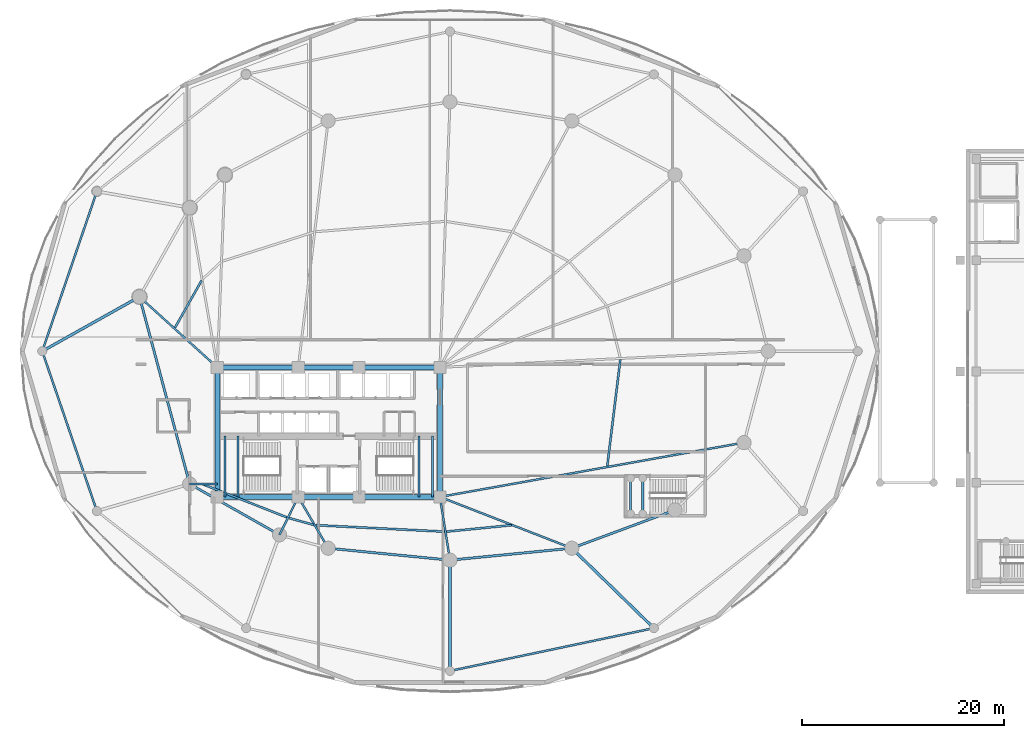
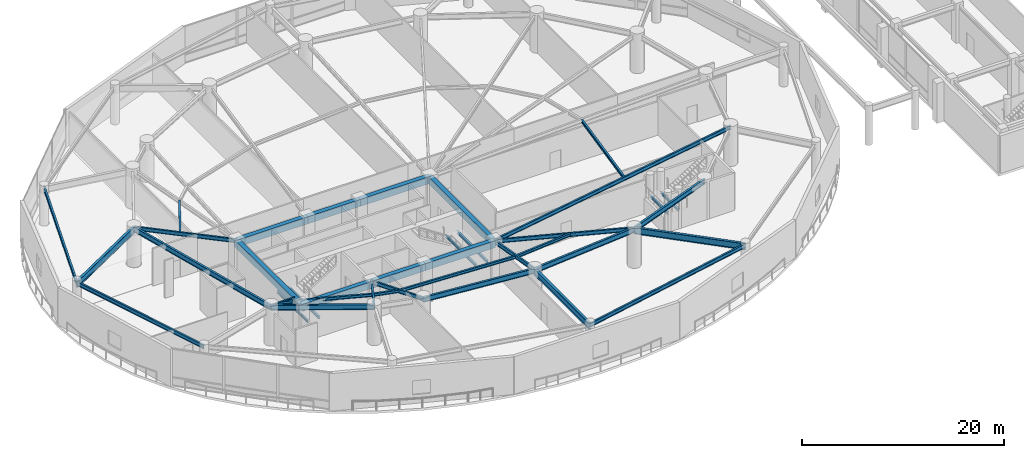
# One storey, part 5 of 40: 38 beams.
"""IFC4 building model written with IfcOpenShell, lengths in metres."""

from ifc_helpers import new_model, si_unit, direction, frame, origin, origin_2d, place, context, subcontext, project, spatial, rectangle, i_section, extrude, material, material_profile, profile_set, type_object, element, save


model = new_model("IFC4")

# Units and contexts
model_context = context("Model", 3, precision=1e-05, world=origin(), true_north=direction((0.0, 1.0)))
body_context = subcontext(model_context, "Body", "Model", "MODEL_VIEW")
ifc_project = project(units=[si_unit("LENGTHUNIT", "METRE"), si_unit("AREAUNIT", "SQUARE_METRE"), si_unit("VOLUMEUNIT", "CUBIC_METRE"), si_unit("PLANEANGLEUNIT", "RADIAN"), si_unit("MASSUNIT", "GRAM", prefix="KILO")], contexts=[model_context])

# Site, building, storey
site_placement = place(None, origin())
site = spatial("IfcSite", under=ifc_project, at=site_placement, CompositionType="ELEMENT")
building_placement = place(site_placement, origin())
building = spatial("IfcBuilding", under=site, at=building_placement, Name="Kazevale Care Tower and Concert Hall", CompositionType="ELEMENT")
storey_placement = place(building_placement, frame((0.0, 0.0, 4.800048828125)))
storey = spatial("IfcBuildingStorey", under=building, at=storey_placement, Name="L01", CompositionType="ELEMENT", Elevation=4.800048828125)

# Beams
ifc_material_1 = material(Name="Concrete C60", Category="concrete")
ifc_material_profile_1 = material_profile(ifc_material_1, rectangle(XDim=0.5, YDim=0.85009765625, at=origin_2d()), Name="RC-B500x850")
ifc_profile_set_1 = profile_set([ifc_material_profile_1], Name="Concrete C60")
beam_type_1 = type_object("IfcBeamType", Name="Core Coupling Beam RC500x850", PredefinedType="LINTEL", material=ifc_profile_set_1)
beam_1_placement = place(storey_placement, frame((22.0, 23.60009765625, 4.094970703125), z_axis=(1.0, 0.0, 0.0), x_axis=(0.0, 1.0, 0.0)))
element("IfcBeam", 1, at=beam_1_placement, inside=storey, type_object=beam_type_1, Name="beam:L01:coretie:1", PredefinedType="LINTEL", context=body_context, shape_type="SweptSolid", body=[
    extrude(rectangle(XDim=0.5, YDim=0.85009765625, at=origin_2d()), origin(), (0.0, 0.0, 1.0), 8.0),
])
beam_2_placement = place(storey_placement, frame((30.0, 23.60009765625, 4.094970703125), z_axis=(1.0, 0.0, 0.0), x_axis=(0.0, 1.0, 0.0)))
element("IfcBeam", 2, at=beam_2_placement, inside=storey, type_object=beam_type_1, Name="beam:L01:coretie:2", PredefinedType="LINTEL", context=body_context, shape_type="SweptSolid", body=[
    extrude(rectangle(XDim=0.5, YDim=0.85009765625, at=origin_2d()), origin(), (0.0, 0.0, 1.0), 6.0),
])
beam_3_placement = place(storey_placement, frame((36.0, 23.60009765625, 4.094970703125), z_axis=(1.0, 0.0, 0.0), x_axis=(0.0, 1.0, 0.0)))
element("IfcBeam", 3, at=beam_3_placement, inside=storey, type_object=beam_type_1, Name="beam:L01:coretie:3", PredefinedType="LINTEL", context=body_context, shape_type="SweptSolid", body=[
    extrude(rectangle(XDim=0.5, YDim=0.85009765625, at=origin_2d()), origin(), (0.0, 0.0, 1.0), 8.0),
])
beam_4_placement = place(storey_placement, frame((44.0, 23.60009765625, 4.094970703125), z_axis=(0.0, 1.0, 0.0), x_axis=(-1.0, 0.0, 0.0)))
element("IfcBeam", 4, at=beam_4_placement, inside=storey, type_object=beam_type_1, Name="beam:L01:coretie:4", PredefinedType="LINTEL", context=body_context, shape_type="SweptSolid", body=[
    extrude(rectangle(XDim=0.5, YDim=0.85009765625, at=origin_2d()), origin(), (0.0, 0.0, 1.0), 12.7998046875),
])
beam_5_placement = place(storey_placement, frame((44.0, 36.39990234375, 4.094970703125), z_axis=(-1.0, 0.0, 0.0), x_axis=(0.0, -1.0, 0.0)))
element("IfcBeam", 5, at=beam_5_placement, inside=storey, type_object=beam_type_1, Name="beam:L01:coretie:5", PredefinedType="LINTEL", context=body_context, shape_type="SweptSolid", body=[
    extrude(rectangle(XDim=0.5, YDim=0.85009765625, at=origin_2d()), origin(), (0.0, 0.0, 1.0), 8.0),
])
beam_6_placement = place(storey_placement, frame((36.0, 36.39990234375, 4.094970703125), z_axis=(-1.0, 0.0, 0.0), x_axis=(0.0, -1.0, 0.0)))
element("IfcBeam", 6, at=beam_6_placement, inside=storey, type_object=beam_type_1, Name="beam:L01:coretie:6", PredefinedType="LINTEL", context=body_context, shape_type="SweptSolid", body=[
    extrude(rectangle(XDim=0.5, YDim=0.85009765625, at=origin_2d()), origin(), (0.0, 0.0, 1.0), 6.0),
])
beam_7_placement = place(storey_placement, frame((30.0, 36.39990234375, 4.094970703125), z_axis=(-1.0, 0.0, 0.0), x_axis=(0.0, -1.0, 0.0)))
element("IfcBeam", 7, at=beam_7_placement, inside=storey, type_object=beam_type_1, Name="beam:L01:coretie:7", PredefinedType="LINTEL", context=body_context, shape_type="SweptSolid", body=[
    extrude(rectangle(XDim=0.5, YDim=0.85009765625, at=origin_2d()), origin(), (0.0, 0.0, 1.0), 8.0),
])
beam_8_placement = place(storey_placement, frame((22.0, 36.39990234375, 4.094970703125), z_axis=(0.0, -1.0, 0.0), x_axis=(1.0, 0.0, 0.0)))
element("IfcBeam", 8, at=beam_8_placement, inside=storey, type_object=beam_type_1, Name="beam:L01:coretie:8", PredefinedType="LINTEL", context=body_context, shape_type="SweptSolid", body=[
    extrude(rectangle(XDim=0.5, YDim=0.85009765625, at=origin_2d()), origin(), (0.0, 0.0, 1.0), 12.7998046875),
])
ifc_material_2 = material(Name="Steel ASTM A572 Gr 50", Category="steel")
ifc_material_profile_2 = material_profile(ifc_material_2, i_section(OverallWidth=0.194091796875, OverallDepth=0.468994140625, WebThickness=0.0126953125, FlangeThickness=0.0205078125, at=origin_2d()), Name="W460x106")
ifc_profile_set_2 = profile_set([ifc_material_profile_2], Name="Steel ASTM A572 Gr 50")
beam_type_2 = type_object("IfcBeamType", Name="Podium Floor Beam W460x106", PredefinedType="BEAM", material=ifc_profile_set_2)
for number, where, z_axis, x_axis, name in (
    (9, (10.10009765625, 53.800048828125, 4.285400390625), (-0.323412440773, -0.946258100707, 0.0), (0.946258100707, -0.323412440773, 0.0), "beam:L01:podring:06"),
    (10, (4.699951171875, 38.0, 4.285400390625), (0.323412440773, -0.946258100707, 0.0), (0.946258100707, 0.323412440773, 0.0), "beam:L01:podring:07"),
):
    element("IfcBeam", number, at=place(storey_placement, frame(where, z_axis=z_axis, x_axis=x_axis)), inside=storey, type_object=beam_type_2, Name=name, PredefinedType="BEAM", context=body_context, shape_type="SweptSolid", body=[
        extrude(i_section(OverallWidth=0.194091796875, OverallDepth=0.468994140625, WebThickness=0.0126953125, FlangeThickness=0.0205078125, at=origin_2d()), origin(), (0.0, 0.0, 1.0), 16.697509765625),
    ])
beam_9_placement = place(storey_placement, frame((45.0, 6.39990234375, 4.285400390625), z_axis=(0.978668137727, 0.205447502293, 0.0), x_axis=(-0.205447502293, 0.978668137727, 0.0)))
element("IfcBeam", 11, at=beam_9_placement, inside=storey, type_object=beam_type_2, Name="beam:L01:podring:10", PredefinedType="BEAM", context=body_context, shape_type="SweptSolid", body=[
    extrude(i_section(OverallWidth=0.194091796875, OverallDepth=0.468994140625, WebThickness=0.0126953125, FlangeThickness=0.0205078125, at=origin_2d()), origin(), (0.0, 0.0, 1.0), 20.589111328125),
])
ifc_material_profile_3 = material_profile(ifc_material_2, i_section(OverallWidth=0.26806640625, OverallDepth=0.77001953125, WebThickness=0.015625, FlangeThickness=0.025390625, at=origin_2d()), Name="W760x196")
ifc_profile_set_3 = profile_set([ifc_material_profile_3], Name="Steel ASTM A572 Gr 50")
beam_type_3 = type_object("IfcBeamType", Name="Podium Primary Girder W760x196", PredefinedType="BEAM", material=ifc_profile_set_3)
beam_10_placement = place(storey_placement, frame((14.31005859375, 43.3798828125, 4.135009765625), z_axis=(-0.872574804498, -0.488480511951, 0.0), x_axis=(0.488480511951, -0.872574804498, 0.0)))
element("IfcBeam", 12, at=beam_10_placement, inside=storey, type_object=beam_type_3, Name="beam:L01:podrad:07", PredefinedType="BEAM", context=body_context, shape_type="SweptSolid", body=[
    extrude(i_section(OverallWidth=0.26806640625, OverallDepth=0.77001953125, WebThickness=0.015625, FlangeThickness=0.025390625, at=origin_2d()), origin(), (0.0, 0.0, 1.0), 11.013427734375),
])
beam_11_placement = place(storey_placement, frame((45.0, 17.35009765625, 4.135009765625), z_axis=(0.0, -1.0, 0.0), x_axis=(1.0, 0.0, 0.0)))
element("IfcBeam", 13, at=beam_11_placement, inside=storey, type_object=beam_type_3, Name="beam:L01:podrad:10", PredefinedType="BEAM", context=body_context, shape_type="SweptSolid", body=[
    extrude(i_section(OverallWidth=0.26806640625, OverallDepth=0.77001953125, WebThickness=0.015625, FlangeThickness=0.025390625, at=origin_2d()), origin(), (0.0, 0.0, 1.0), 10.9501953125),
])
beam_12_placement = place(storey_placement, frame((57.0400390625, 18.530029296875, 4.135009765625), z_axis=(0.716307795312, -0.697784452661, 0.0), x_axis=(0.697784452661, 0.716307795312, 0.0)))
element("IfcBeam", 14, at=beam_12_placement, inside=storey, type_object=beam_type_3, Name="beam:L01:podrad:11", PredefinedType="BEAM", context=body_context, shape_type="SweptSolid", body=[
    extrude(i_section(OverallWidth=0.26806640625, OverallDepth=0.77001953125, WebThickness=0.015625, FlangeThickness=0.025390625, at=origin_2d()), origin(), (0.0, 0.0, 1.0), 11.32177734375),
])
ifc_material_profile_4 = material_profile(ifc_material_2, i_section(OverallWidth=0.19091796875, OverallDepth=0.4599609375, WebThickness=0.010009765625, FlangeThickness=0.01611328125, at=origin_2d()), Name="W460x82")
ifc_profile_set_4 = profile_set([ifc_material_profile_4], Name="Steel ASTM A572 Gr 50")
beam_type_4 = type_object("IfcBeamType", Name="Radial Floor Beam W460x82", PredefinedType="BEAM", material=ifc_profile_set_4)
beam_13_placement = place(storey_placement, frame((22.0, 36.39990234375, 4.2900390625), z_axis=(-0.740461073653, 0.672099247436, 0.0), x_axis=(-0.672099247436, -0.740461073653, 0.0)))
element("IfcBeam", 15, at=beam_13_placement, inside=storey, type_object=beam_type_4, Name="beam:L01:rad:09", PredefinedType="BEAM", context=body_context, shape_type="SweptSolid", body=[
    extrude(i_section(OverallWidth=0.19091796875, OverallDepth=0.4599609375, WebThickness=0.010009765625, FlangeThickness=0.01611328125, at=origin_2d()), origin(), (0.0, 0.0, 1.0), 10.38525390625),
])
beam_14_placement = place(storey_placement, frame((22.0, 24.8798828125, 4.2900390625), z_axis=(-1.0, 0.0, 0.0), x_axis=(0.0, -1.0, 0.0)))
element("IfcBeam", 16, at=beam_14_placement, inside=storey, type_object=beam_type_4, Name="beam:L01:rad:10", PredefinedType="BEAM", context=body_context, shape_type="SweptSolid", body=[
    extrude(i_section(OverallWidth=0.19091796875, OverallDepth=0.4599609375, WebThickness=0.010009765625, FlangeThickness=0.01611328125, at=origin_2d()), origin(), (0.0, 0.0, 1.0), 2.72998046875),
])
beam_15_placement = place(storey_placement, frame((30.0, 23.60009765625, 4.2900390625), z_axis=(-0.442443019162, -0.896796618412, 0.0), x_axis=(0.896796618412, -0.442443019162, 0.0)))
element("IfcBeam", 17, at=beam_15_placement, inside=storey, type_object=beam_type_4, Name="beam:L01:rad:11", PredefinedType="BEAM", context=body_context, shape_type="SweptSolid", body=[
    extrude(i_section(OverallWidth=0.19091796875, OverallDepth=0.4599609375, WebThickness=0.010009765625, FlangeThickness=0.01611328125, at=origin_2d()), origin(), (0.0, 0.0, 1.0), 4.181640625),
])
beam_16_placement = place(storey_placement, frame((30.0, 23.60009765625, 4.2900390625), z_axis=(0.50417868077, -0.86359936189, 0.0), x_axis=(0.86359936189, 0.50417868077, 0.0)))
element("IfcBeam", 18, at=beam_16_placement, inside=storey, type_object=beam_type_4, Name="beam:L01:rad:12", PredefinedType="BEAM", context=body_context, shape_type="SweptSolid", body=[
    extrude(i_section(OverallWidth=0.19091796875, OverallDepth=0.4599609375, WebThickness=0.010009765625, FlangeThickness=0.01611328125, at=origin_2d()), origin(), (0.0, 0.0, 1.0), 5.870849609375),
])
beam_17_placement = place(storey_placement, frame((44.0, 23.60009765625, 4.2900390625), z_axis=(0.157990501107, -0.987440631917, 0.0), x_axis=(0.987440631917, 0.157990501107, 0.0)))
element("IfcBeam", 19, at=beam_17_placement, inside=storey, type_object=beam_type_4, Name="beam:L01:rad:13", PredefinedType="BEAM", context=body_context, shape_type="SweptSolid", body=[
    extrude(i_section(OverallWidth=0.19091796875, OverallDepth=0.4599609375, WebThickness=0.010009765625, FlangeThickness=0.01611328125, at=origin_2d()), origin(), (0.0, 0.0, 1.0), 6.32958984375),
])
beam_18_placement = place(storey_placement, frame((44.0, 23.60009765625, 4.2900390625), z_axis=(0.932030212407, -0.362380577792, 0.0), x_axis=(0.362380577792, 0.932030212407, 0.0)))
element("IfcBeam", 20, at=beam_18_placement, inside=storey, type_object=beam_type_4, Name="beam:L01:rad:14", PredefinedType="BEAM", context=body_context, shape_type="SweptSolid", body=[
    extrude(i_section(OverallWidth=0.19091796875, OverallDepth=0.4599609375, WebThickness=0.010009765625, FlangeThickness=0.01611328125, at=origin_2d()), origin(), (0.0, 0.0, 1.0), 13.990966796875),
])
beam_19_placement = place(storey_placement, frame((44.0, 23.60009765625, 4.2900390625), z_axis=(0.984416208219, 0.175854283415, 0.0), x_axis=(-0.175854283415, 0.984416208219, 0.0)))
element("IfcBeam", 21, at=beam_19_placement, inside=storey, type_object=beam_type_4, Name="beam:L01:rad:16", PredefinedType="BEAM", context=body_context, shape_type="SweptSolid", body=[
    extrude(i_section(OverallWidth=0.19091796875, OverallDepth=0.4599609375, WebThickness=0.010009765625, FlangeThickness=0.01611328125, at=origin_2d()), origin(), (0.0, 0.0, 1.0), 30.535888671875),
])
ifc_material_profile_5 = material_profile(ifc_material_2, i_section(OverallWidth=0.22900390625, OverallDepth=0.612060546875, WebThickness=0.011962890625, FlangeThickness=0.01953125, at=origin_2d()), Name="W610x125")
ifc_profile_set_5 = profile_set([ifc_material_profile_5], Name="Steel ASTM A572 Gr 50")
beam_type_5 = type_object("IfcBeamType", Name="Ring Spandrel Beam W610x125", PredefinedType="SPANDREL", material=ifc_profile_set_5)
beam_20_placement = place(storey_placement, frame((14.31005859375, 43.3798828125, 4.2138671875), z_axis=(0.258960352031, -0.965887952133, 0.0), x_axis=(0.965887952133, 0.258960352031, 0.0)))
element("IfcBeam", 22, at=beam_20_placement, inside=storey, type_object=beam_type_5, Name="beam:L01:ring:09", PredefinedType="SPANDREL", context=body_context, shape_type="SweptSolid", body=[
    extrude(i_section(OverallWidth=0.22900390625, OverallDepth=0.612060546875, WebThickness=0.011962890625, FlangeThickness=0.01953125, at=origin_2d()), origin(), (0.0, 0.0, 1.0), 19.1533203125),
])
beam_21_placement = place(storey_placement, frame((19.27001953125, 24.8798828125, 4.2138671875), z_axis=(0.870112469479, -0.492853213906, 0.0), x_axis=(0.492853213906, 0.870112469479, 0.0)))
element("IfcBeam", 23, at=beam_21_placement, inside=storey, type_object=beam_type_5, Name="beam:L01:ring:10", PredefinedType="SPANDREL", context=body_context, shape_type="SweptSolid", body=[
    extrude(i_section(OverallWidth=0.22900390625, OverallDepth=0.612060546875, WebThickness=0.011962890625, FlangeThickness=0.01953125, at=origin_2d()), origin(), (0.0, 0.0, 1.0), 10.205322265625),
])
for number, where, z_axis, x_axis, name in (
    (24, (32.9599609375, 18.530029296875, 4.2138671875), (0.995232251602, -0.09753340644, 0.0), (0.09753340644, 0.995232251602, 0.0), "beam:L01:ring:12"),
    (25, (45.0, 17.35009765625, 4.2138671875), (0.995232251602, 0.09753340644, 0.0), (-0.09753340644, 0.995232251602, 0.0), "beam:L01:ring:13"),
):
    element("IfcBeam", number, at=place(storey_placement, frame(where, z_axis=z_axis, x_axis=x_axis)), inside=storey, type_object=beam_type_5, Name=name, PredefinedType="SPANDREL", context=body_context, shape_type="SweptSolid", body=[
        extrude(i_section(OverallWidth=0.22900390625, OverallDepth=0.612060546875, WebThickness=0.011962890625, FlangeThickness=0.01953125, at=origin_2d()), origin(), (0.0, 0.0, 1.0), 12.09765625),
    ])
beam_22_placement = place(storey_placement, frame((57.0400390625, 18.530029296875, 4.2138671875), z_axis=(0.937680788596, 0.347497825458, 0.0), x_axis=(-0.347497825458, 0.937680788596, 0.0)))
element("IfcBeam", 26, at=beam_22_placement, inside=storey, type_object=beam_type_5, Name="beam:L01:ring:14", PredefinedType="SPANDREL", context=body_context, shape_type="SweptSolid", body=[
    extrude(i_section(OverallWidth=0.22900390625, OverallDepth=0.612060546875, WebThickness=0.011962890625, FlangeThickness=0.01953125, at=origin_2d()), origin(), (0.0, 0.0, 1.0), 10.8779296875),
])
ifc_material_profile_6 = material_profile(ifc_material_2, i_section(OverallWidth=0.205078125, OverallDepth=0.35400390625, WebThickness=0.009521484375, FlangeThickness=0.016845703125, at=origin_2d()), Name="W360x79")
ifc_profile_set_6 = profile_set([ifc_material_profile_6], Name="Steel ASTM A572 Gr 50")
beam_type_6 = type_object("IfcBeamType", Name="Secondary Floor Joist W360x79", PredefinedType="JOIST", material=ifc_profile_set_6)
beam_23_placement = place(storey_placement, frame((20.447021484375, 44.988037109375, 4.343017578125), z_axis=(-0.490956987312, -0.871183813331, 0.0), x_axis=(0.871183813331, -0.490956987312, 0.0)))
element("IfcBeam", 27, at=beam_23_placement, inside=storey, type_object=beam_type_6, Name="beam:L01:joist:08", PredefinedType="JOIST", context=body_context, shape_type="SweptSolid", body=[
    extrude(i_section(OverallWidth=0.205078125, OverallDepth=0.35400390625, WebThickness=0.009521484375, FlangeThickness=0.016845703125, at=origin_2d()), origin(), (0.0, 0.0, 1.0), 5.3466796875),
])
beam_24_placement = place(storey_placement, frame((20.595947265625, 24.842041015625, 4.343017578125), z_axis=(0.930380638802, -0.366594963062, 0.0), x_axis=(0.366594963062, 0.930380638802, 0.0)))
element("IfcBeam", 28, at=beam_24_placement, inside=storey, type_object=beam_type_6, Name="beam:L01:joist:10", PredefinedType="JOIST", context=body_context, shape_type="SweptSolid", body=[
    extrude(i_section(OverallWidth=0.205078125, OverallDepth=0.35400390625, WebThickness=0.009521484375, FlangeThickness=0.016845703125, at=origin_2d()), origin(), (0.0, 0.0, 1.0), 8.909423828125),
])
beam_25_placement = place(storey_placement, frame((29.083984375, 21.510009765625, 4.343017578125), z_axis=(0.964302027389, -0.264804833743, 0.0), x_axis=(0.264804833743, 0.964302027389, 0.0)))
element("IfcBeam", 29, at=beam_25_placement, inside=storey, type_object=beam_type_6, Name="beam:L01:joist:11", PredefinedType="JOIST", context=body_context, shape_type="SweptSolid", body=[
    extrude(i_section(OverallWidth=0.205078125, OverallDepth=0.35400390625, WebThickness=0.009521484375, FlangeThickness=0.016845703125, at=origin_2d()), origin(), (0.0, 0.0, 1.0), 2.533447265625),
])
beam_26_placement = place(storey_placement, frame((31.73291015625, 20.805908203125, 4.343017578125), z_axis=(0.998743186005, -0.050120339262, 0.0), x_axis=(0.050120339262, 0.998743186005, 0.0)))
element("IfcBeam", 30, at=beam_26_placement, inside=storey, type_object=beam_type_6, Name="beam:L01:joist:12", PredefinedType="JOIST", context=body_context, shape_type="SweptSolid", body=[
    extrude(i_section(OverallWidth=0.205078125, OverallDepth=0.35400390625, WebThickness=0.009521484375, FlangeThickness=0.016845703125, at=origin_2d()), origin(), (0.0, 0.0, 1.0), 12.728271484375),
])
beam_27_placement = place(storey_placement, frame((44.654052734375, 20.173095703125, 4.343017578125), z_axis=(0.995242075791, 0.097433108212, 0.0), x_axis=(-0.097433108212, 0.995242075791, 0.0)))
element("IfcBeam", 31, at=beam_27_placement, inside=storey, type_object=beam_type_6, Name="beam:L01:joist:13", PredefinedType="JOIST", context=body_context, shape_type="SweptSolid", body=[
    extrude(i_section(OverallWidth=0.205078125, OverallDepth=0.35400390625, WebThickness=0.009521484375, FlangeThickness=0.016845703125, at=origin_2d()), origin(), (0.0, 0.0, 1.0), 6.44482421875),
])
beam_28_placement = place(storey_placement, frame((60.5458984375, 26.657958984375, 4.343017578125), z_axis=(0.1216468088, 0.992573450133, 0.0), x_axis=(-0.992573450133, 0.1216468088, 0.0)))
element("IfcBeam", 32, at=beam_28_placement, inside=storey, type_object=beam_type_6, Name="beam:L01:joist:16", PredefinedType="JOIST", context=body_context, shape_type="SweptSolid", body=[
    extrude(i_section(OverallWidth=0.205078125, OverallDepth=0.35400390625, WebThickness=0.009521484375, FlangeThickness=0.016845703125, at=origin_2d()), origin(), (0.0, 0.0, 1.0), 10.5966796875),
])
ifc_material_profile_7 = material_profile(ifc_material_2, i_section(OverallWidth=0.202880859375, OverallDepth=0.302978515625, WebThickness=0.007568359375, FlangeThickness=0.01318359375, at=origin_2d()), Name="W310x60")
ifc_profile_set_7 = profile_set([ifc_material_profile_7], Name="Steel ASTM A572 Gr 50")
beam_type_7 = type_object("IfcBeamType", Name="Stair & Balcony Trimmer W310x60", PredefinedType="BEAM", material=ifc_profile_set_7)
for number, where, z_axis, x_axis, name in (
    (33, (22.75, 23.60009765625, 2.04833984375), (0.0, 1.0, 0.0), (-1.0, 0.0, 0.0), "beam:L01:sttrim:ST1"),
    (34, (24.050048828125, 23.60009765625, 2.04833984375), (0.0, 1.0, 0.0), (-1.0, 0.0, 0.0), "beam:L01:sttrim:ST1b"),
    (35, (41.949951171875, 23.60009765625, 2.04833984375), (0.0, 1.0, 0.0), (-1.0, 0.0, 0.0), "beam:L01:sttrim:ST2"),
    (36, (43.25, 23.60009765625, 2.04833984375), (0.0, 1.0, 0.0), (-1.0, 0.0, 0.0), "beam:L01:sttrim:ST2b"),
):
    element("IfcBeam", number, at=place(storey_placement, frame(where, z_axis=z_axis, x_axis=x_axis)), inside=storey, type_object=beam_type_7, Name=name, PredefinedType="BEAM", context=body_context, shape_type="SweptSolid", body=[
        extrude(i_section(OverallWidth=0.202880859375, OverallDepth=0.302978515625, WebThickness=0.007568359375, FlangeThickness=0.01318359375, at=origin_2d()), origin(), (0.0, 0.0, 1.0), 6.0),
    ])
for number, where, z_axis, x_axis, name in (
    (37, (62.85009765625, 21.949951171875, 2.04833984375), (0.0, 1.0, 0.0), (-1.0, 0.0, 0.0), "beam:L01:st3trim:1"),
    (38, (64.050048828125, 21.949951171875, 2.04833984375), (0.0, 1.0, 0.0), (-1.0, 0.0, 0.0), "beam:L01:st3trim:2"),
):
    element("IfcBeam", number, at=place(storey_placement, frame(where, z_axis=z_axis, x_axis=x_axis)), inside=storey, type_object=beam_type_7, Name=name, PredefinedType="BEAM", context=body_context, shape_type="SweptSolid", body=[
        extrude(i_section(OverallWidth=0.202880859375, OverallDepth=0.302978515625, WebThickness=0.007568359375, FlangeThickness=0.01318359375, at=origin_2d()), origin(), (0.0, 0.0, 1.0), 3.5),
    ])

save(model, "model.ifc")
